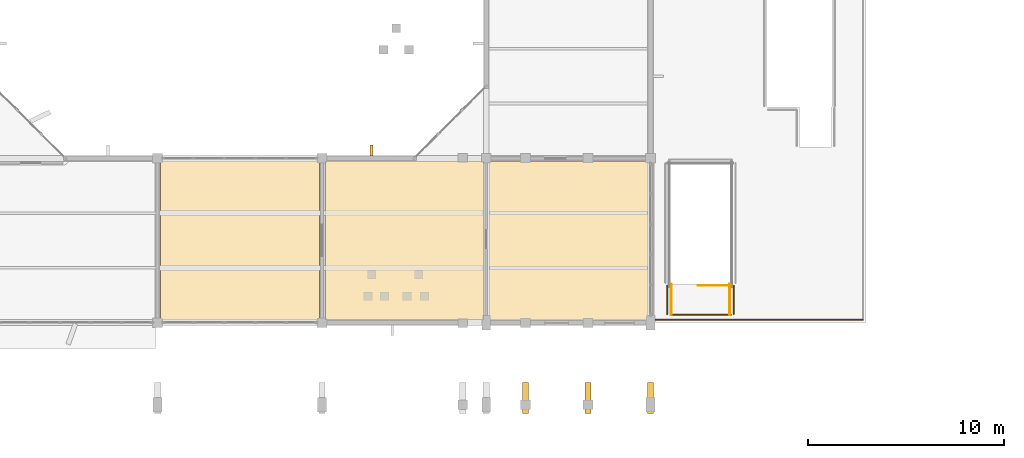
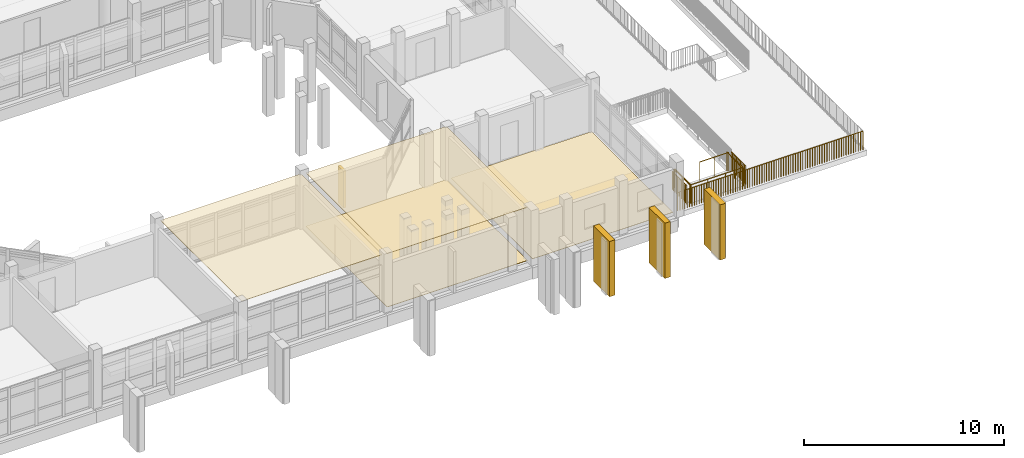
# One storey, part 81 of 104: 7 coverings, 7 railings, 1 shading device.
"""IFC4 building model written with IfcOpenShell, lengths in metres."""

from ifc_helpers import new_model, si_unit, direction, frame, origin, origin_2d, place, context, subcontext, project, spatial, polyline, rectangle, circle, outline, extrude, material, layer, layer_set, type_object, element, save


model = new_model("IFC4")

# Units and contexts
model_context = context("Model", 3, precision=1e-05, world=origin(), true_north=direction((0.0, 1.0)))
body_context = subcontext(model_context, "Body", "Model", "MODEL_VIEW")
ifc_project = project(units=[si_unit("LENGTHUNIT", "METRE"), si_unit("AREAUNIT", "SQUARE_METRE"), si_unit("VOLUMEUNIT", "CUBIC_METRE"), si_unit("PLANEANGLEUNIT", "RADIAN"), si_unit("MASSUNIT", "GRAM", prefix="KILO")], contexts=[model_context])

# Site, building, storey
site_placement = place(None, origin())
site = spatial("IfcSite", under=ifc_project, at=site_placement, CompositionType="ELEMENT")
building_placement = place(site_placement, origin())
building = spatial("IfcBuilding", under=site, at=building_placement, Name="Vanh Quang Courtyard School", CompositionType="ELEMENT")
storey_placement = place(building_placement, frame((0.0, 0.0, 4.199951171875)))
storey = spatial("IfcBuildingStorey", under=building, at=storey_placement, Name="L01", CompositionType="ELEMENT", Elevation=4.199951171875)

# Coverings
ifc_material_1 = material(Name="Perforated mineral-fibre acoustic ceiling board")
ifc_layer_1 = layer(ifc_material_1, 0.02490234375)
ifc_layer_set_1 = layer_set([ifc_layer_1], Name="Perforated mineral-fibre acoustic ceiling board")
covering_type_1 = type_object("IfcCoveringType", Name="COV-CEIL-ACOUSTIC", PredefinedType="CEILING", material=ifc_layer_set_1)
covering_1_placement = place(storey_placement, frame((0.0, 0.0, 3.295166015625)))
element("IfcCovering", 1, at=covering_1_placement, inside=storey, type_object=covering_type_1, Name="Covering CV-CL1 (L01)", PredefinedType="CEILING", context=body_context, shape_type="SweptSolid", body=[
    extrude(outline(polyline([(94.35009765625, 12.4599609375), (94.35009765625, 12.4609375), (94.35009765625, 12.4619140625), (94.350341796875, 12.462890625), (94.350830078125, 12.4638671875), (94.351318359375, 12.464599609375), (94.351806640625, 12.465576171875), (94.352294921875, 12.46630859375), (94.352783203125, 12.467041015625), (94.353759765625, 12.4677734375), (94.3544921875, 12.46826171875), (94.355224609375, 12.46875), (94.356201171875, 12.46923828125), (94.357177734375, 12.469482421875), (94.35791015625, 12.4697265625), (94.35888671875, 12.469970703125), (94.360107421875, 12.469970703125), (102.4599609375, 12.469970703125), (102.4609375, 12.469970703125), (102.4619140625, 12.4697265625), (102.462890625, 12.469482421875), (102.4638671875, 12.46923828125), (102.464599609375, 12.46875), (102.465576171875, 12.46826171875), (102.46630859375, 12.4677734375), (102.467041015625, 12.467041015625), (102.4677734375, 12.46630859375), (102.46826171875, 12.465576171875), (102.46875, 12.464599609375), (102.46923828125, 12.4638671875), (102.469482421875, 12.462890625), (102.4697265625, 12.4619140625), (102.469970703125, 12.4609375), (102.469970703125, 12.4599609375), (102.469970703125, 4.340087890625), (102.469970703125, 4.339111328125), (102.4697265625, 4.337890625), (102.469482421875, 4.337158203125), (102.46923828125, 4.336181640625), (102.46875, 4.335205078125), (102.46826171875, 4.33447265625), (102.4677734375, 4.333740234375), (102.467041015625, 4.3330078125), (102.46630859375, 4.332275390625), (102.465576171875, 4.331787109375), (102.464599609375, 4.331298828125), (102.4638671875, 4.330810546875), (102.462890625, 4.330322265625), (102.4619140625, 4.330078125), (102.4609375, 4.330078125), (102.4599609375, 4.330078125), (94.360107421875, 4.330078125), (94.35888671875, 4.330078125), (94.35791015625, 4.330078125), (94.357177734375, 4.330322265625), (94.356201171875, 4.330810546875), (94.355224609375, 4.331298828125), (94.3544921875, 4.331787109375), (94.353759765625, 4.332275390625), (94.352783203125, 4.3330078125), (94.352294921875, 4.333740234375), (94.351806640625, 4.33447265625), (94.351318359375, 4.335205078125), (94.350830078125, 4.336181640625), (94.350341796875, 4.337158203125), (94.35009765625, 4.337890625), (94.35009765625, 4.339111328125), (94.35009765625, 4.340087890625), (94.35009765625, 12.4599609375)])), origin(), (0.0, 0.0, 1.0), 0.02490234375),
])
covering_2_placement = place(storey_placement, frame((0.0, 0.0, 3.255126953125)))
element("IfcCovering", 2, at=covering_2_placement, inside=storey, type_object=covering_type_1, Name="Covering CV-CL1 (L01)", PredefinedType="CEILING", context=body_context, shape_type="SweptSolid", body=[
    extrude(outline(polyline([(102.760009765625, 4.330078125), (102.759033203125, 4.330078125), (102.758056640625, 4.330078125), (102.757080078125, 4.330322265625), (102.756103515625, 4.330810546875), (102.75537109375, 4.331298828125), (102.75439453125, 4.331787109375), (102.753662109375, 4.332275390625), (102.7529296875, 4.3330078125), (102.752197265625, 4.333740234375), (102.751708984375, 4.33447265625), (102.751220703125, 4.335205078125), (102.750732421875, 4.336181640625), (102.75048828125, 4.337158203125), (102.750244140625, 4.337890625), (102.75, 4.339111328125), (102.75, 4.340087890625), (102.75, 12.4599609375), (102.75, 12.4609375), (102.750244140625, 12.4619140625), (102.75048828125, 12.462890625), (102.750732421875, 12.4638671875), (102.751220703125, 12.464599609375), (102.751708984375, 12.465576171875), (102.752197265625, 12.46630859375), (102.7529296875, 12.467041015625), (102.753662109375, 12.4677734375), (102.75439453125, 12.46826171875), (102.75537109375, 12.46875), (102.756103515625, 12.46923828125), (102.757080078125, 12.469482421875), (102.758056640625, 12.4697265625), (102.759033203125, 12.469970703125), (102.760009765625, 12.469970703125), (110.860107421875, 12.469970703125), (110.861083984375, 12.469970703125), (110.862060546875, 12.4697265625), (110.86279296875, 12.469482421875), (110.86376953125, 12.46923828125), (110.86474609375, 12.46875), (110.865478515625, 12.46826171875), (110.8662109375, 12.4677734375), (110.8671875, 12.467041015625), (110.86767578125, 12.46630859375), (110.868408203125, 12.465576171875), (110.868896484375, 12.464599609375), (110.869140625, 12.4638671875), (110.86962890625, 12.462890625), (110.869873046875, 12.4619140625), (110.8701171875, 12.4609375), (110.8701171875, 12.4599609375), (110.8701171875, 4.340087890625), (110.8701171875, 4.339111328125), (110.869873046875, 4.337890625), (110.86962890625, 4.337158203125), (110.869140625, 4.336181640625), (110.868896484375, 4.335205078125), (110.868408203125, 4.33447265625), (110.86767578125, 4.333740234375), (110.8671875, 4.3330078125), (110.8662109375, 4.332275390625), (110.865478515625, 4.331787109375), (110.86474609375, 4.331298828125), (110.86376953125, 4.330810546875), (110.86279296875, 4.330322265625), (110.862060546875, 4.330078125), (110.861083984375, 4.330078125), (110.860107421875, 4.330078125), (102.760009765625, 4.330078125)])), origin(), (0.0, 0.0, 1.0), 0.02490234375),
])
ifc_material_2 = material(Name="Polished cementitious terrazzo tile", Category="concrete")
ifc_layer_2 = layer(ifc_material_2, 0.02001953125)
ifc_layer_set_2 = layer_set([ifc_layer_2], Name="Polished cementitious terrazzo tile")
covering_type_2 = type_object("IfcCoveringType", Name="COV-FLR-TERRAZZO", PredefinedType="FLOORING", material=ifc_layer_set_2)
covering_3_placement = place(storey_placement, origin())
element("IfcCovering", 3, at=covering_3_placement, inside=storey, type_object=covering_type_2, Name="Covering CV-FL1 (L01)", PredefinedType="FLOORING", context=body_context, shape_type="SweptSolid", body=[
    extrude(outline(polyline([(102.760009765625, 4.330078125), (102.759033203125, 4.330078125), (102.758056640625, 4.330078125), (102.757080078125, 4.330322265625), (102.756103515625, 4.330810546875), (102.75537109375, 4.331298828125), (102.75439453125, 4.331787109375), (102.753662109375, 4.332275390625), (102.7529296875, 4.3330078125), (102.752197265625, 4.333740234375), (102.751708984375, 4.33447265625), (102.751220703125, 4.335205078125), (102.750732421875, 4.336181640625), (102.75048828125, 4.337158203125), (102.750244140625, 4.337890625), (102.75, 4.339111328125), (102.75, 4.340087890625), (102.75, 12.4599609375), (102.75, 12.4609375), (102.750244140625, 12.4619140625), (102.75048828125, 12.462890625), (102.750732421875, 12.4638671875), (102.751220703125, 12.464599609375), (102.751708984375, 12.465576171875), (102.752197265625, 12.46630859375), (102.7529296875, 12.467041015625), (102.753662109375, 12.4677734375), (102.75439453125, 12.46826171875), (102.75537109375, 12.46875), (102.756103515625, 12.46923828125), (102.757080078125, 12.469482421875), (102.758056640625, 12.4697265625), (102.759033203125, 12.469970703125), (102.760009765625, 12.469970703125), (110.860107421875, 12.469970703125), (110.861083984375, 12.469970703125), (110.862060546875, 12.4697265625), (110.86279296875, 12.469482421875), (110.86376953125, 12.46923828125), (110.86474609375, 12.46875), (110.865478515625, 12.46826171875), (110.8662109375, 12.4677734375), (110.8671875, 12.467041015625), (110.86767578125, 12.46630859375), (110.868408203125, 12.465576171875), (110.868896484375, 12.464599609375), (110.869140625, 12.4638671875), (110.86962890625, 12.462890625), (110.869873046875, 12.4619140625), (110.8701171875, 12.4609375), (110.8701171875, 12.4599609375), (110.8701171875, 4.340087890625), (110.8701171875, 4.339111328125), (110.869873046875, 4.337890625), (110.86962890625, 4.337158203125), (110.869140625, 4.336181640625), (110.868896484375, 4.335205078125), (110.868408203125, 4.33447265625), (110.86767578125, 4.333740234375), (110.8671875, 4.3330078125), (110.8662109375, 4.332275390625), (110.865478515625, 4.331787109375), (110.86474609375, 4.331298828125), (110.86376953125, 4.330810546875), (110.86279296875, 4.330322265625), (110.862060546875, 4.330078125), (110.861083984375, 4.330078125), (110.860107421875, 4.330078125), (102.760009765625, 4.330078125)])), origin(), (0.0, 0.0, 1.0), 0.02001953125),
])
covering_4_placement = place(storey_placement, origin())
element("IfcCovering", 4, at=covering_4_placement, inside=storey, type_object=covering_type_2, Name="Covering CV-FL1 (L01)", PredefinedType="FLOORING", context=body_context, shape_type="SweptSolid", body=[
    extrude(outline(polyline([(111.159912109375, 4.330078125), (111.158935546875, 4.330078125), (111.157958984375, 4.330078125), (111.156982421875, 4.330322265625), (111.15625, 4.330810546875), (111.1552734375, 4.331298828125), (111.154296875, 4.331787109375), (111.15380859375, 4.332275390625), (111.15283203125, 4.3330078125), (111.15234375, 4.333740234375), (111.151611328125, 4.33447265625), (111.151123046875, 4.335205078125), (111.15087890625, 4.336181640625), (111.150390625, 4.337158203125), (111.150146484375, 4.337890625), (111.14990234375, 4.339111328125), (111.14990234375, 4.340087890625), (111.14990234375, 12.4599609375), (111.14990234375, 12.4609375), (111.150146484375, 12.4619140625), (111.150390625, 12.462890625), (111.15087890625, 12.4638671875), (111.151123046875, 12.464599609375), (111.151611328125, 12.465576171875), (111.15234375, 12.46630859375), (111.15283203125, 12.467041015625), (111.15380859375, 12.4677734375), (111.154296875, 12.46826171875), (111.1552734375, 12.46875), (111.15625, 12.46923828125), (111.156982421875, 12.469482421875), (111.157958984375, 12.4697265625), (111.158935546875, 12.469970703125), (111.159912109375, 12.469970703125), (119.260009765625, 12.469970703125), (119.260986328125, 12.469970703125), (119.261962890625, 12.4697265625), (119.262939453125, 12.469482421875), (119.263916015625, 12.46923828125), (119.2646484375, 12.46875), (119.265625, 12.46826171875), (119.266357421875, 12.4677734375), (119.26708984375, 12.467041015625), (119.267578125, 12.46630859375), (119.268310546875, 12.465576171875), (119.268798828125, 12.464599609375), (119.269287109375, 12.4638671875), (119.26953125, 12.462890625), (119.269775390625, 12.4619140625), (119.27001953125, 12.4609375), (119.27001953125, 12.4599609375), (119.27001953125, 4.340087890625), (119.27001953125, 4.339111328125), (119.269775390625, 4.337890625), (119.26953125, 4.337158203125), (119.269287109375, 4.336181640625), (119.268798828125, 4.335205078125), (119.268310546875, 4.33447265625), (119.267578125, 4.333740234375), (119.26708984375, 4.3330078125), (119.266357421875, 4.332275390625), (119.265625, 4.331787109375), (119.2646484375, 4.331298828125), (119.263916015625, 4.330810546875), (119.262939453125, 4.330322265625), (119.261962890625, 4.330078125), (119.260986328125, 4.330078125), (119.260009765625, 4.330078125), (111.159912109375, 4.330078125)])), origin(), (0.0, 0.0, 1.0), 0.02001953125),
])
ifc_material_3 = material(Name="Board-marked precast concrete C40/50", Category="concrete")
ifc_layer_3 = layer(ifc_material_3, 0.239990234375)
ifc_layer_set_3 = layer_set([ifc_layer_3], Name="Board-marked precast concrete C40/50")
covering_type_3 = type_object("IfcCoveringType", Name="COV-HOOD-CONC", PredefinedType="CLADDING", material=ifc_layer_set_3)
for number, where, z_axis, x_axis, name in (
    (5, (119.39990234375, 0.35009765625, 0.0), (0.0, 0.0, 1.0), (0.0, 1.0, 0.0), "Covering CH-01 (L01)"),
    (6, (116.199951171875, 0.35009765625, 0.0), (0.0, 0.0, 1.0), (0.0, 1.0, 0.0), "Covering CH-01 (L01)"),
    (7, (113.0, 0.35009765625, 0.0), (0.0, 0.0, 1.0), (0.0, 1.0, 0.0), "Covering CH-01 (L01)"),
):
    element("IfcCovering", number, at=place(storey_placement, frame(where, z_axis=z_axis, x_axis=x_axis)), inside=storey, type_object=covering_type_3, Name=name, PredefinedType="CLADDING", context=body_context, shape_type="SweptSolid", body=[
        extrude(rectangle(XDim=1.60009765625, YDim=0.320068359375, at=origin_2d()), origin(), (0.0, 0.0, 1.0), 3.3798828125),
    ])

# Railings
ifc_material_4 = material(Name="Galvanised painted steel EN 10025-2 S355J2", Category="steel")
railing_type = type_object("IfcRailingType", Name="RAIL-GUARD-1150", PredefinedType="BALUSTRADE", material=ifc_material_4)
railing_1_placement = place(storey_placement, frame((130.260009765625, 4.340087890625, 0.0)))
element("IfcRailing", 8, at=railing_1_placement, inside=storey, type_object=railing_type, Name="Railing GR-01 (L01)", PredefinedType="BALUSTRADE", context=body_context, shape_type="SweptSolid", body=[
    extrude(circle(Radius=0.02392578125, at=origin_2d()), frame((0.0, 0.0, 1.1259765625), z_axis=(-1.0, 0.0, 0.0), x_axis=(0.0, -1.0, 0.0)), (0.0, 0.0, 1.0), 10.719970703125),
    extrude(circle(Radius=0.02099609375, at=origin_2d()), origin(), (0.0, 0.0, 1.0), 1.101806640625),
    extrude(circle(Radius=0.02099609375, at=origin_2d()), frame((-0.13916015625, 0.0, 0.0)), (0.0, 0.0, 1.0), 1.101806640625),
    extrude(circle(Radius=0.02099609375, at=origin_2d()), frame((-0.2783203125, 0.0, 0.0)), (0.0, 0.0, 1.0), 1.101806640625),
    extrude(circle(Radius=0.02099609375, at=origin_2d()), frame((-0.417724609375, 0.0, 0.0)), (0.0, 0.0, 1.0), 1.101806640625),
    extrude(circle(Radius=0.02099609375, at=origin_2d()), frame((-0.556884765625, 0.0, 0.0)), (0.0, 0.0, 1.0), 1.101806640625),
    extrude(circle(Radius=0.02099609375, at=origin_2d()), frame((-0.696044921875, 0.0, 0.0)), (0.0, 0.0, 1.0), 1.101806640625),
    extrude(circle(Radius=0.02099609375, at=origin_2d()), frame((-0.835205078125, 0.0, 0.0)), (0.0, 0.0, 1.0), 1.101806640625),
    extrude(circle(Radius=0.02099609375, at=origin_2d()), frame((-0.974609375, 0.0, 0.0)), (0.0, 0.0, 1.0), 1.101806640625),
    extrude(circle(Radius=0.02099609375, at=origin_2d()), frame((-1.11376953125, 0.0, 0.0)), (0.0, 0.0, 1.0), 1.101806640625),
    extrude(circle(Radius=0.02099609375, at=origin_2d()), frame((-1.2529296875, 0.0, 0.0)), (0.0, 0.0, 1.0), 1.101806640625),
    extrude(circle(Radius=0.02099609375, at=origin_2d()), frame((-1.39208984375, 0.0, 0.0)), (0.0, 0.0, 1.0), 1.101806640625),
    extrude(circle(Radius=0.02099609375, at=origin_2d()), frame((-1.531494140625, 0.0, 0.0)), (0.0, 0.0, 1.0), 1.101806640625),
    extrude(circle(Radius=0.02099609375, at=origin_2d()), frame((-1.670654296875, 0.0, 0.0)), (0.0, 0.0, 1.0), 1.101806640625),
    extrude(circle(Radius=0.02099609375, at=origin_2d()), frame((-1.809814453125, 0.0, 0.0)), (0.0, 0.0, 1.0), 1.101806640625),
    extrude(circle(Radius=0.02099609375, at=origin_2d()), frame((-1.948974609375, 0.0, 0.0)), (0.0, 0.0, 1.0), 1.101806640625),
    extrude(circle(Radius=0.02099609375, at=origin_2d()), frame((-2.08837890625, 0.0, 0.0)), (0.0, 0.0, 1.0), 1.101806640625),
    extrude(circle(Radius=0.02099609375, at=origin_2d()), frame((-2.2275390625, 0.0, 0.0)), (0.0, 0.0, 1.0), 1.101806640625),
    extrude(circle(Radius=0.02099609375, at=origin_2d()), frame((-2.36669921875, 0.0, 0.0)), (0.0, 0.0, 1.0), 1.101806640625),
    extrude(circle(Radius=0.02099609375, at=origin_2d()), frame((-2.505859375, 0.0, 0.0)), (0.0, 0.0, 1.0), 1.101806640625),
    extrude(circle(Radius=0.02099609375, at=origin_2d()), frame((-2.645263671875, 0.0, 0.0)), (0.0, 0.0, 1.0), 1.101806640625),
    extrude(circle(Radius=0.02099609375, at=origin_2d()), frame((-2.784423828125, 0.0, 0.0)), (0.0, 0.0, 1.0), 1.101806640625),
    extrude(circle(Radius=0.02099609375, at=origin_2d()), frame((-2.923583984375, 0.0, 0.0)), (0.0, 0.0, 1.0), 1.101806640625),
    extrude(circle(Radius=0.02099609375, at=origin_2d()), frame((-3.062744140625, 0.0, 0.0)), (0.0, 0.0, 1.0), 1.101806640625),
    extrude(circle(Radius=0.02099609375, at=origin_2d()), frame((-3.2021484375, 0.0, 0.0)), (0.0, 0.0, 1.0), 1.101806640625),
    extrude(circle(Radius=0.02099609375, at=origin_2d()), frame((-3.34130859375, 0.0, 0.0)), (0.0, 0.0, 1.0), 1.101806640625),
    extrude(circle(Radius=0.02099609375, at=origin_2d()), frame((-3.48046875, 0.0, 0.0)), (0.0, 0.0, 1.0), 1.101806640625),
    extrude(circle(Radius=0.02099609375, at=origin_2d()), frame((-3.61962890625, 0.0, 0.0)), (0.0, 0.0, 1.0), 1.101806640625),
    extrude(circle(Radius=0.02099609375, at=origin_2d()), frame((-3.759033203125, 0.0, 0.0)), (0.0, 0.0, 1.0), 1.101806640625),
    extrude(circle(Radius=0.02099609375, at=origin_2d()), frame((-3.898193359375, 0.0, 0.0)), (0.0, 0.0, 1.0), 1.101806640625),
    extrude(circle(Radius=0.02099609375, at=origin_2d()), frame((-4.037353515625, 0.0, 0.0)), (0.0, 0.0, 1.0), 1.101806640625),
    extrude(circle(Radius=0.02099609375, at=origin_2d()), frame((-4.176513671875, 0.0, 0.0)), (0.0, 0.0, 1.0), 1.101806640625),
    extrude(circle(Radius=0.02099609375, at=origin_2d()), frame((-4.31591796875, 0.0, 0.0)), (0.0, 0.0, 1.0), 1.101806640625),
    extrude(circle(Radius=0.02099609375, at=origin_2d()), frame((-4.455078125, 0.0, 0.0)), (0.0, 0.0, 1.0), 1.101806640625),
    extrude(circle(Radius=0.02099609375, at=origin_2d()), frame((-4.59423828125, 0.0, 0.0)), (0.0, 0.0, 1.0), 1.101806640625),
    extrude(circle(Radius=0.02099609375, at=origin_2d()), frame((-4.7333984375, 0.0, 0.0)), (0.0, 0.0, 1.0), 1.101806640625),
    extrude(circle(Radius=0.02099609375, at=origin_2d()), frame((-4.872802734375, 0.0, 0.0)), (0.0, 0.0, 1.0), 1.101806640625),
    extrude(circle(Radius=0.02099609375, at=origin_2d()), frame((-5.011962890625, 0.0, 0.0)), (0.0, 0.0, 1.0), 1.101806640625),
    extrude(circle(Radius=0.02099609375, at=origin_2d()), frame((-5.151123046875, 0.0, 0.0)), (0.0, 0.0, 1.0), 1.101806640625),
    extrude(circle(Radius=0.02099609375, at=origin_2d()), frame((-5.290283203125, 0.0, 0.0)), (0.0, 0.0, 1.0), 1.101806640625),
    extrude(circle(Radius=0.02099609375, at=origin_2d()), frame((-5.4296875, 0.0, 0.0)), (0.0, 0.0, 1.0), 1.101806640625),
    extrude(circle(Radius=0.02099609375, at=origin_2d()), frame((-5.56884765625, 0.0, 0.0)), (0.0, 0.0, 1.0), 1.101806640625),
    extrude(circle(Radius=0.02099609375, at=origin_2d()), frame((-5.7080078125, 0.0, 0.0)), (0.0, 0.0, 1.0), 1.101806640625),
    extrude(circle(Radius=0.02099609375, at=origin_2d()), frame((-5.84716796875, 0.0, 0.0)), (0.0, 0.0, 1.0), 1.101806640625),
    extrude(circle(Radius=0.02099609375, at=origin_2d()), frame((-5.986572265625, 0.0, 0.0)), (0.0, 0.0, 1.0), 1.101806640625),
    extrude(circle(Radius=0.02099609375, at=origin_2d()), frame((-6.125732421875, 0.0, 0.0)), (0.0, 0.0, 1.0), 1.101806640625),
    extrude(circle(Radius=0.02099609375, at=origin_2d()), frame((-6.264892578125, 0.0, 0.0)), (0.0, 0.0, 1.0), 1.101806640625),
    extrude(circle(Radius=0.02099609375, at=origin_2d()), frame((-6.404052734375, 0.0, 0.0)), (0.0, 0.0, 1.0), 1.101806640625),
    extrude(circle(Radius=0.02099609375, at=origin_2d()), frame((-6.54345703125, 0.0, 0.0)), (0.0, 0.0, 1.0), 1.101806640625),
    extrude(circle(Radius=0.02099609375, at=origin_2d()), frame((-6.6826171875, 0.0, 0.0)), (0.0, 0.0, 1.0), 1.101806640625),
    extrude(circle(Radius=0.02099609375, at=origin_2d()), frame((-6.82177734375, 0.0, 0.0)), (0.0, 0.0, 1.0), 1.101806640625),
    extrude(circle(Radius=0.02099609375, at=origin_2d()), frame((-6.9609375, 0.0, 0.0)), (0.0, 0.0, 1.0), 1.101806640625),
    extrude(circle(Radius=0.02099609375, at=origin_2d()), frame((-7.100341796875, 0.0, 0.0)), (0.0, 0.0, 1.0), 1.101806640625),
    extrude(circle(Radius=0.02099609375, at=origin_2d()), frame((-7.239501953125, 0.0, 0.0)), (0.0, 0.0, 1.0), 1.101806640625),
    extrude(circle(Radius=0.02099609375, at=origin_2d()), frame((-7.378662109375, 0.0, 0.0)), (0.0, 0.0, 1.0), 1.101806640625),
    extrude(circle(Radius=0.02099609375, at=origin_2d()), frame((-7.517822265625, 0.0, 0.0)), (0.0, 0.0, 1.0), 1.101806640625),
    extrude(circle(Radius=0.02099609375, at=origin_2d()), frame((-7.6572265625, 0.0, 0.0)), (0.0, 0.0, 1.0), 1.101806640625),
    extrude(circle(Radius=0.02099609375, at=origin_2d()), frame((-7.79638671875, 0.0, 0.0)), (0.0, 0.0, 1.0), 1.101806640625),
    extrude(circle(Radius=0.02099609375, at=origin_2d()), frame((-7.935546875, 0.0, 0.0)), (0.0, 0.0, 1.0), 1.101806640625),
    extrude(circle(Radius=0.02099609375, at=origin_2d()), frame((-8.07470703125, 0.0, 0.0)), (0.0, 0.0, 1.0), 1.101806640625),
    extrude(circle(Radius=0.02099609375, at=origin_2d()), frame((-8.214111328125, 0.0, 0.0)), (0.0, 0.0, 1.0), 1.101806640625),
    extrude(circle(Radius=0.02099609375, at=origin_2d()), frame((-8.353271484375, 0.0, 0.0)), (0.0, 0.0, 1.0), 1.101806640625),
    extrude(circle(Radius=0.02099609375, at=origin_2d()), frame((-8.492431640625, 0.0, 0.0)), (0.0, 0.0, 1.0), 1.101806640625),
    extrude(circle(Radius=0.02099609375, at=origin_2d()), frame((-8.631591796875, 0.0, 0.0)), (0.0, 0.0, 1.0), 1.101806640625),
    extrude(circle(Radius=0.02099609375, at=origin_2d()), frame((-8.77099609375, 0.0, 0.0)), (0.0, 0.0, 1.0), 1.101806640625),
    extrude(circle(Radius=0.02099609375, at=origin_2d()), frame((-8.91015625, 0.0, 0.0)), (0.0, 0.0, 1.0), 1.101806640625),
    extrude(circle(Radius=0.02099609375, at=origin_2d()), frame((-9.04931640625, 0.0, 0.0)), (0.0, 0.0, 1.0), 1.101806640625),
    extrude(circle(Radius=0.02099609375, at=origin_2d()), frame((-9.1884765625, 0.0, 0.0)), (0.0, 0.0, 1.0), 1.101806640625),
    extrude(circle(Radius=0.02099609375, at=origin_2d()), frame((-9.327880859375, 0.0, 0.0)), (0.0, 0.0, 1.0), 1.101806640625),
    extrude(circle(Radius=0.02099609375, at=origin_2d()), frame((-9.467041015625, 0.0, 0.0)), (0.0, 0.0, 1.0), 1.101806640625),
    extrude(circle(Radius=0.02099609375, at=origin_2d()), frame((-9.606201171875, 0.0, 0.0)), (0.0, 0.0, 1.0), 1.101806640625),
    extrude(circle(Radius=0.02099609375, at=origin_2d()), frame((-9.745361328125, 0.0, 0.0)), (0.0, 0.0, 1.0), 1.101806640625),
    extrude(circle(Radius=0.02099609375, at=origin_2d()), frame((-9.884765625, 0.0, 0.0)), (0.0, 0.0, 1.0), 1.101806640625),
    extrude(circle(Radius=0.02099609375, at=origin_2d()), frame((-10.02392578125, 0.0, 0.0)), (0.0, 0.0, 1.0), 1.101806640625),
    extrude(circle(Radius=0.02099609375, at=origin_2d()), frame((-10.1630859375, 0.0, 0.0)), (0.0, 0.0, 1.0), 1.101806640625),
    extrude(circle(Radius=0.02099609375, at=origin_2d()), frame((-10.30224609375, 0.0, 0.0)), (0.0, 0.0, 1.0), 1.101806640625),
    extrude(circle(Radius=0.02099609375, at=origin_2d()), frame((-10.441650390625, 0.0, 0.0)), (0.0, 0.0, 1.0), 1.101806640625),
    extrude(circle(Radius=0.02099609375, at=origin_2d()), frame((-10.580810546875, 0.0, 0.0)), (0.0, 0.0, 1.0), 1.101806640625),
    extrude(circle(Radius=0.02099609375, at=origin_2d()), frame((-10.719970703125, 0.0, 0.0)), (0.0, 0.0, 1.0), 1.101806640625),
])
railing_2_placement = place(storey_placement, frame((123.65380859375, 4.635009765625, 0.0)))
element("IfcRailing", 9, at=railing_2_placement, inside=storey, type_object=railing_type, Name="Railing GR-01 (L01)", PredefinedType="BALUSTRADE", context=body_context, shape_type="SweptSolid", body=[
    extrude(circle(Radius=0.02392578125, at=origin_2d()), frame((0.0, 0.0, 1.1259765625), z_axis=(0.000674991409, 0.999999772193, 0.0), x_axis=(-0.999999772193, 0.000674991409, 0.0)), (0.0, 0.0, 1.0), 1.44677734375),
    extrude(circle(Radius=0.02099609375, at=origin_2d()), origin(), (0.0, 0.0, 1.0), 1.101806640625),
    extrude(circle(Radius=0.02099609375, at=origin_2d()), frame((0.0, 0.131591796875, 0.0)), (0.0, 0.0, 1.0), 1.101806640625),
    extrude(circle(Radius=0.02099609375, at=origin_2d()), frame((0.000244140625, 0.262939453125, 0.0)), (0.0, 0.0, 1.0), 1.101806640625),
    extrude(circle(Radius=0.02099609375, at=origin_2d()), frame((0.000244140625, 0.39453125, 0.0)), (0.0, 0.0, 1.0), 1.101806640625),
    extrude(circle(Radius=0.02099609375, at=origin_2d()), frame((0.000244140625, 0.526123046875, 0.0)), (0.0, 0.0, 1.0), 1.101806640625),
    extrude(circle(Radius=0.02099609375, at=origin_2d()), frame((0.00048828125, 0.65771484375, 0.0)), (0.0, 0.0, 1.0), 1.101806640625),
    extrude(circle(Radius=0.02099609375, at=origin_2d()), frame((0.00048828125, 0.7890625, 0.0)), (0.0, 0.0, 1.0), 1.101806640625),
    extrude(circle(Radius=0.02099609375, at=origin_2d()), frame((0.000732421875, 0.920654296875, 0.0)), (0.0, 0.0, 1.0), 1.101806640625),
    extrude(circle(Radius=0.02099609375, at=origin_2d()), frame((0.000732421875, 1.05224609375, 0.0)), (0.0, 0.0, 1.0), 1.101806640625),
    extrude(circle(Radius=0.02099609375, at=origin_2d()), frame((0.000732421875, 1.183837890625, 0.0)), (0.0, 0.0, 1.0), 1.101806640625),
    extrude(circle(Radius=0.02099609375, at=origin_2d()), frame((0.0009765625, 1.315185546875, 0.0)), (0.0, 0.0, 1.0), 1.101806640625),
    extrude(circle(Radius=0.02099609375, at=origin_2d()), frame((0.0009765625, 1.44677734375, 0.0)), (0.0, 0.0, 1.0), 1.101806640625),
])
railing_3_placement = place(storey_placement, frame((120.2451171875, 6.081787109375, 0.0)))
element("IfcRailing", 10, at=railing_3_placement, inside=storey, type_object=railing_type, Name="Railing GR-01 (L01)", PredefinedType="BALUSTRADE", context=body_context, shape_type="SweptSolid", body=[
    extrude(circle(Radius=0.02392578125, at=origin_2d()), frame((0.0, 0.0, 1.1259765625), z_axis=(0.0, -1.0, 0.0), x_axis=(1.0, 0.0, 0.0)), (0.0, 0.0, 1.0), 1.44677734375),
    extrude(circle(Radius=0.02099609375, at=origin_2d()), origin(), (0.0, 0.0, 1.0), 1.101806640625),
    extrude(circle(Radius=0.02099609375, at=origin_2d()), frame((0.0, -0.131591796875, 0.0)), (0.0, 0.0, 1.0), 1.101806640625),
    extrude(circle(Radius=0.02099609375, at=origin_2d()), frame((0.0, -0.262939453125, 0.0)), (0.0, 0.0, 1.0), 1.101806640625),
    extrude(circle(Radius=0.02099609375, at=origin_2d()), frame((0.0, -0.39453125, 0.0)), (0.0, 0.0, 1.0), 1.101806640625),
    extrude(circle(Radius=0.02099609375, at=origin_2d()), frame((0.0, -0.526123046875, 0.0)), (0.0, 0.0, 1.0), 1.101806640625),
    extrude(circle(Radius=0.02099609375, at=origin_2d()), frame((0.0, -0.65771484375, 0.0)), (0.0, 0.0, 1.0), 1.101806640625),
    extrude(circle(Radius=0.02099609375, at=origin_2d()), frame((0.0, -0.7890625, 0.0)), (0.0, 0.0, 1.0), 1.101806640625),
    extrude(circle(Radius=0.02099609375, at=origin_2d()), frame((0.0, -0.920654296875, 0.0)), (0.0, 0.0, 1.0), 1.101806640625),
    extrude(circle(Radius=0.02099609375, at=origin_2d()), frame((0.0, -1.05224609375, 0.0)), (0.0, 0.0, 1.0), 1.101806640625),
    extrude(circle(Radius=0.02099609375, at=origin_2d()), frame((0.0, -1.183837890625, 0.0)), (0.0, 0.0, 1.0), 1.101806640625),
    extrude(circle(Radius=0.02099609375, at=origin_2d()), frame((0.0, -1.315185546875, 0.0)), (0.0, 0.0, 1.0), 1.101806640625),
    extrude(circle(Radius=0.02099609375, at=origin_2d()), frame((0.0, -1.44677734375, 0.0)), (0.0, 0.0, 1.0), 1.101806640625),
])
railing_4_placement = place(storey_placement, frame((123.511962890625, 6.10009765625, 0.0)))
element("IfcRailing", 11, at=railing_4_placement, inside=storey, type_object=railing_type, Name="L01 ST-T1 top well guard 1", PredefinedType="BALUSTRADE", context=body_context, shape_type="SweptSolid", body=[
    extrude(circle(Radius=0.02392578125, at=origin_2d()), frame((0.0, 0.0, 1.1259765625), z_axis=(-1.0, 0.0, 0.0), x_axis=(0.0, -1.0, 0.0)), (0.0, 0.0, 1.0), 1.674072265625),
    extrude(circle(Radius=0.02099609375, at=origin_2d()), origin(), (0.0, 0.0, 1.0), 1.101806640625),
    extrude(circle(Radius=0.02099609375, at=origin_2d()), frame((-0.8369140625, 0.0, 0.0)), (0.0, 0.0, 1.0), 1.101806640625),
    extrude(circle(Radius=0.02099609375, at=origin_2d()), frame((-1.674072265625, 0.0, 0.0)), (0.0, 0.0, 1.0), 1.101806640625),
])
for number, where, name in (
    (12, (123.449951171875, 4.587890625, 0.0), "L01 ST-T1 top well guard 5"),
    (13, (120.449951171875, 4.587890625, 0.0), "L01 ST-T1 top well guard 6"),
):
    element("IfcRailing", number, at=place(storey_placement, frame(where)), inside=storey, type_object=railing_type, Name=name, PredefinedType="BALUSTRADE", context=body_context, shape_type="SweptSolid", body=[
        extrude(circle(Radius=0.02392578125, at=origin_2d()), frame((0.0, 0.0, 1.1259765625), z_axis=(0.0, 1.0, 0.0), x_axis=(-1.0, 0.0, 0.0)), (0.0, 0.0, 1.0), 1.57421875),
        extrude(circle(Radius=0.02099609375, at=origin_2d()), origin(), (0.0, 0.0, 1.0), 1.101806640625),
        extrude(circle(Radius=0.02099609375, at=origin_2d()), frame((0.0, 0.787109375, 0.0)), (0.0, 0.0, 1.0), 1.101806640625),
        extrude(circle(Radius=0.02099609375, at=origin_2d()), frame((0.0, 1.57421875, 0.0)), (0.0, 0.0, 1.0), 1.101806640625),
    ])
railing_5_placement = place(storey_placement, frame((123.5, 4.60009765625, 0.0)))
element("IfcRailing", 14, at=railing_5_placement, inside=storey, type_object=railing_type, Name="Railing GR-01 (L01)", PredefinedType="BALUSTRADE", context=body_context, shape_type="SweptSolid", body=[
    extrude(circle(Radius=0.02392578125, at=origin_2d()), frame((0.0, 0.0, 1.1259765625), z_axis=(-1.0, 0.0, 0.0), x_axis=(0.0, -1.0, 0.0)), (0.0, 0.0, 1.0), 3.10009765625),
    extrude(circle(Radius=0.02392578125, at=origin_2d()), frame((-3.10009765625, 0.0, 1.1259765625), z_axis=(0.0, 1.0, 0.0), x_axis=(-1.0, 0.0, 0.0)), (0.0, 0.0, 1.0), 1.579833984375),
    extrude(circle(Radius=0.02099609375, at=origin_2d()), origin(), (0.0, 0.0, 1.0), 1.101806640625),
    extrude(circle(Radius=0.02099609375, at=origin_2d()), frame((-1.033447265625, 0.0, 0.0)), (0.0, 0.0, 1.0), 1.101806640625),
    extrude(circle(Radius=0.02099609375, at=origin_2d()), frame((-2.066650390625, 0.0, 0.0)), (0.0, 0.0, 1.0), 1.101806640625),
    extrude(circle(Radius=0.02099609375, at=origin_2d()), frame((-3.10009765625, 0.0, 0.0)), (0.0, 0.0, 1.0), 1.101806640625),
    extrude(circle(Radius=0.02099609375, at=origin_2d()), frame((-3.10009765625, 0.7900390625, 0.0)), (0.0, 0.0, 1.0), 1.101806640625),
    extrude(circle(Radius=0.02099609375, at=origin_2d()), frame((-3.10009765625, 1.579833984375, 0.0)), (0.0, 0.0, 1.0), 1.101806640625),
])

# Shading device
shading_device_type = type_object("IfcShadingDeviceType", Name="SHD-FIN-CONCRETE", PredefinedType="USERDEFINED", material=ifc_material_3)
shading_device_placement = place(storey_placement, frame((105.135986328125, 12.9951171875, 0.14990234375), z_axis=(0.0, 0.0, 1.0), x_axis=(1.0, 0.0, 0.0)))
element("IfcShadingDevice", 15, at=shading_device_placement, inside=storey, type_object=shading_device_type, Name="Solar Shading SH-02 (L01)", ObjectType="Solar Shading SH-02 (L01)", PredefinedType="USERDEFINED", context=body_context, shape_type="SweptSolid", body=[
    extrude(rectangle(XDim=0.139892578125, YDim=0.550048828125, at=origin_2d()), origin(), (0.0, 0.0, 1.0), 2.280029296875),
])

save(model, "model.ifc")
